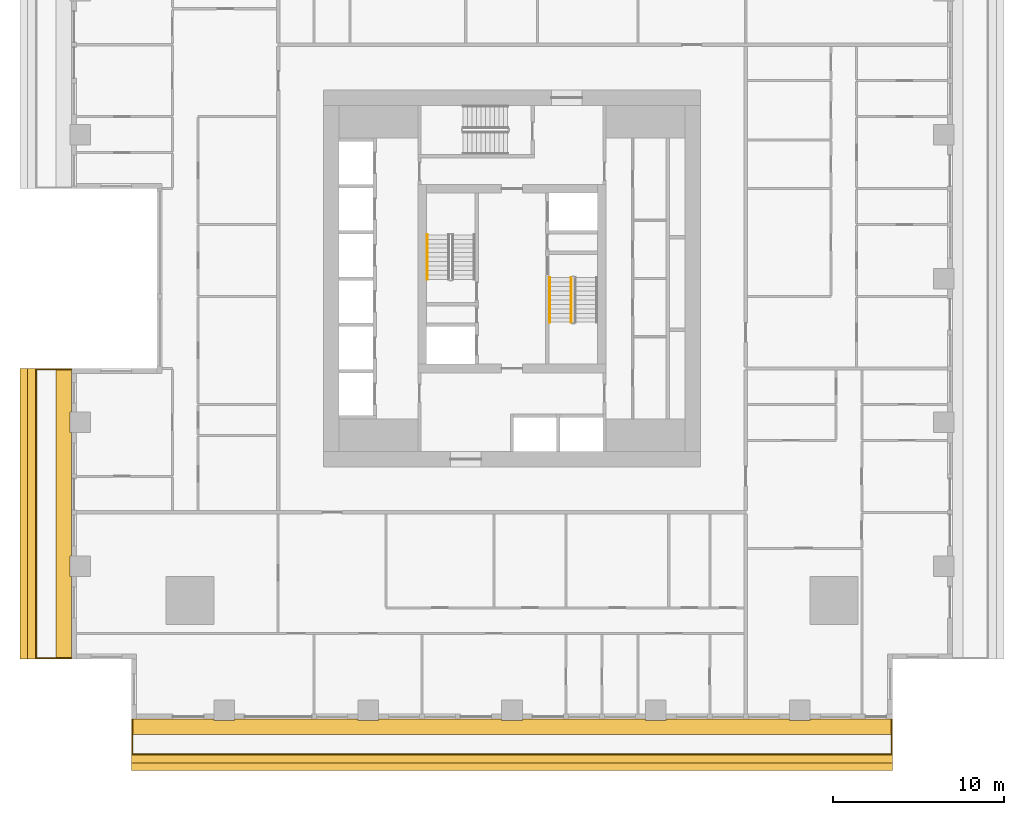
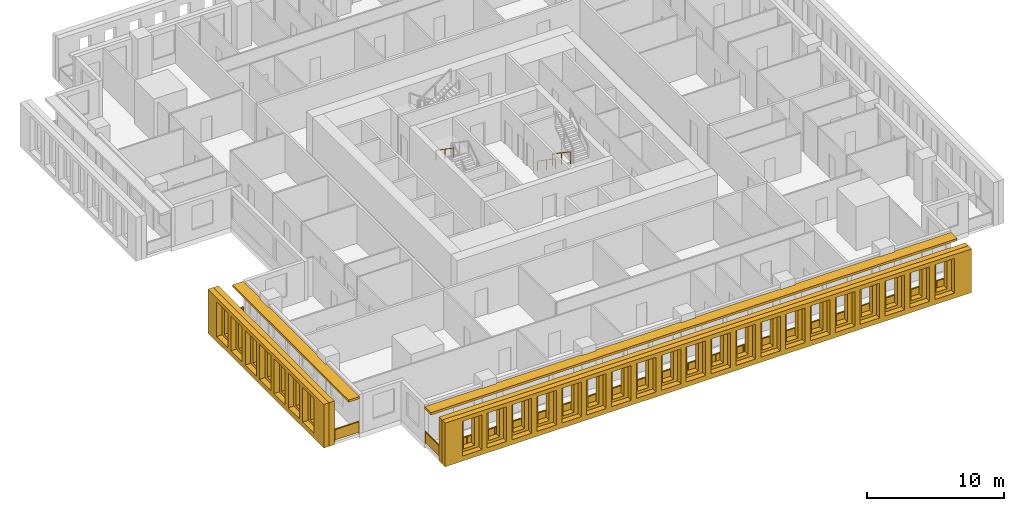
# One storey, part 10 of 14: 6 shading devices, 5 railings.
"""IFC4 building model written with IfcOpenShell, lengths in metres."""

from ifc_helpers import new_model, si_unit, direction, frame, origin, origin_2d, place, context, subcontext, project, spatial, polyline, rectangle, outline, extrude, material, layer, layer_set, type_object, element, save


model = new_model("IFC4")

# Units and contexts
model_context = context("Model", 3, precision=1e-05, world=origin(), true_north=direction((0.0, 1.0)))
body_context = subcontext(model_context, "Body", "Model", "MODEL_VIEW")
ifc_project = project(units=[si_unit("LENGTHUNIT", "METRE"), si_unit("AREAUNIT", "SQUARE_METRE"), si_unit("VOLUMEUNIT", "CUBIC_METRE"), si_unit("PLANEANGLEUNIT", "RADIAN"), si_unit("MASSUNIT", "GRAM", prefix="KILO")], contexts=[model_context])

# Site, building, storey
site_placement = place(None, origin())
site = spatial("IfcSite", under=ifc_project, at=site_placement, CompositionType="ELEMENT")
building_placement = place(site_placement, origin())
building = spatial("IfcBuilding", under=site, at=building_placement, Name="Khepri Terraces", CompositionType="ELEMENT")
storey_placement = place(building_placement, frame((0.0, 0.0, 90.89990234375)))
storey = spatial("IfcBuildingStorey", under=building, at=storey_placement, Name="L21", CompositionType="ELEMENT", Elevation=90.89990234375)

# Railings
ifc_material_1 = material(Name="Stainless steel grade 316", Category="steel")
railing_type_1 = type_object("IfcRailingType", Name="GRD-BAL-1100", PredefinedType="GUARDRAIL", material=ifc_material_1)
railing_1_placement = place(storey_placement, frame((-22.169921875, -25.719970703125, 0.0)))
element("IfcRailing", 1, at=railing_1_placement, inside=storey, type_object=railing_type_1, Name="Balcony guard L21 S", PredefinedType="GUARDRAIL", context=body_context, shape_type="SweptSolid", body=[
    extrude(rectangle(XDim=0.050048828125, YDim=0.06005859375, at=origin_2d()), frame((0.0, 0.0, 1.070068359375), z_axis=(0.0, -1.0, 0.0), x_axis=(1.0, 0.0, 0.0)), (0.0, 0.0, 1.0), 2.050048828125),
    extrude(rectangle(XDim=2.0, YDim=0.011962890625, at=origin_2d()), frame((0.0, -1.02490234375, 0.10009765625), z_axis=(0.0, 0.0, 1.0), x_axis=(0.0, -1.0, 0.0)), (0.0, 0.0, 1.0), 0.93994140625),
    extrude(rectangle(XDim=0.050048828125, YDim=0.06005859375, at=origin_2d()), frame((0.0, -2.050048828125, 1.070068359375), z_axis=(1.0, 0.0, 0.0), x_axis=(0.0, 1.0, 0.0)), (0.0, 0.0, 1.0), 44.33984375),
    extrude(rectangle(XDim=2.28369140625, YDim=0.011962890625, at=origin_2d()), frame((1.166748046875, -2.050048828125, 0.10009765625), z_axis=(0.0, 0.0, 1.0), x_axis=(1.0, 0.0, 0.0)), (0.0, 0.0, 1.0), 0.93994140625),
    extrude(rectangle(XDim=2.28369140625, YDim=0.011962890625, at=origin_2d()), frame((3.50048828125, -2.050048828125, 0.10009765625), z_axis=(0.0, 0.0, 1.0), x_axis=(1.0, 0.0, 0.0)), (0.0, 0.0, 1.0), 0.93994140625),
    extrude(rectangle(XDim=2.28369140625, YDim=0.011962890625, at=origin_2d()), frame((5.834228515625, -2.050048828125, 0.10009765625), z_axis=(0.0, 0.0, 1.0), x_axis=(1.0, 0.0, 0.0)), (0.0, 0.0, 1.0), 0.93994140625),
    extrude(rectangle(XDim=2.28369140625, YDim=0.011962890625, at=origin_2d()), frame((8.16796875, -2.050048828125, 0.10009765625), z_axis=(0.0, 0.0, 1.0), x_axis=(1.0, 0.0, 0.0)), (0.0, 0.0, 1.0), 0.93994140625),
    extrude(rectangle(XDim=2.28369140625, YDim=0.011962890625, at=origin_2d()), frame((10.50146484375, -2.050048828125, 0.10009765625), z_axis=(0.0, 0.0, 1.0), x_axis=(1.0, 0.0, 0.0)), (0.0, 0.0, 1.0), 0.93994140625),
    extrude(rectangle(XDim=2.28369140625, YDim=0.011962890625, at=origin_2d()), frame((12.835205078125, -2.050048828125, 0.10009765625), z_axis=(0.0, 0.0, 1.0), x_axis=(1.0, 0.0, 0.0)), (0.0, 0.0, 1.0), 0.93994140625),
    extrude(rectangle(XDim=2.28369140625, YDim=0.011962890625, at=origin_2d()), frame((15.1689453125, -2.050048828125, 0.10009765625), z_axis=(0.0, 0.0, 1.0), x_axis=(1.0, 0.0, 0.0)), (0.0, 0.0, 1.0), 0.93994140625),
    extrude(rectangle(XDim=2.28369140625, YDim=0.011962890625, at=origin_2d()), frame((17.502685546875, -2.050048828125, 0.10009765625), z_axis=(0.0, 0.0, 1.0), x_axis=(1.0, 0.0, 0.0)), (0.0, 0.0, 1.0), 0.93994140625),
    extrude(rectangle(XDim=2.28369140625, YDim=0.011962890625, at=origin_2d()), frame((19.836181640625, -2.050048828125, 0.10009765625), z_axis=(0.0, 0.0, 1.0), x_axis=(1.0, 0.0, 0.0)), (0.0, 0.0, 1.0), 0.93994140625),
    extrude(rectangle(XDim=2.28369140625, YDim=0.011962890625, at=origin_2d()), frame((22.169921875, -2.050048828125, 0.10009765625), z_axis=(0.0, 0.0, 1.0), x_axis=(1.0, 0.0, 0.0)), (0.0, 0.0, 1.0), 0.93994140625),
    extrude(rectangle(XDim=2.28369140625, YDim=0.011962890625, at=origin_2d()), frame((24.503662109375, -2.050048828125, 0.10009765625), z_axis=(0.0, 0.0, 1.0), x_axis=(1.0, 0.0, 0.0)), (0.0, 0.0, 1.0), 0.93994140625),
    extrude(rectangle(XDim=2.28369140625, YDim=0.011962890625, at=origin_2d()), frame((26.837158203125, -2.050048828125, 0.10009765625), z_axis=(0.0, 0.0, 1.0), x_axis=(1.0, 0.0, 0.0)), (0.0, 0.0, 1.0), 0.93994140625),
    extrude(rectangle(XDim=2.28369140625, YDim=0.011962890625, at=origin_2d()), frame((29.1708984375, -2.050048828125, 0.10009765625), z_axis=(0.0, 0.0, 1.0), x_axis=(1.0, 0.0, 0.0)), (0.0, 0.0, 1.0), 0.93994140625),
    extrude(rectangle(XDim=2.28369140625, YDim=0.011962890625, at=origin_2d()), frame((31.504638671875, -2.050048828125, 0.10009765625), z_axis=(0.0, 0.0, 1.0), x_axis=(1.0, 0.0, 0.0)), (0.0, 0.0, 1.0), 0.93994140625),
    extrude(rectangle(XDim=2.28369140625, YDim=0.011962890625, at=origin_2d()), frame((33.83837890625, -2.050048828125, 0.10009765625), z_axis=(0.0, 0.0, 1.0), x_axis=(1.0, 0.0, 0.0)), (0.0, 0.0, 1.0), 0.93994140625),
    extrude(rectangle(XDim=2.28369140625, YDim=0.011962890625, at=origin_2d()), frame((36.171875, -2.050048828125, 0.10009765625), z_axis=(0.0, 0.0, 1.0), x_axis=(1.0, 0.0, 0.0)), (0.0, 0.0, 1.0), 0.93994140625),
    extrude(rectangle(XDim=2.28369140625, YDim=0.011962890625, at=origin_2d()), frame((38.505615234375, -2.050048828125, 0.10009765625), z_axis=(0.0, 0.0, 1.0), x_axis=(1.0, 0.0, 0.0)), (0.0, 0.0, 1.0), 0.93994140625),
    extrude(rectangle(XDim=2.28369140625, YDim=0.011962890625, at=origin_2d()), frame((40.83935546875, -2.050048828125, 0.10009765625), z_axis=(0.0, 0.0, 1.0), x_axis=(1.0, 0.0, 0.0)), (0.0, 0.0, 1.0), 0.93994140625),
    extrude(rectangle(XDim=2.28369140625, YDim=0.011962890625, at=origin_2d()), frame((43.173095703125, -2.050048828125, 0.10009765625), z_axis=(0.0, 0.0, 1.0), x_axis=(1.0, 0.0, 0.0)), (0.0, 0.0, 1.0), 0.93994140625),
    extrude(rectangle(XDim=0.050048828125, YDim=0.06005859375, at=origin_2d()), frame((44.33984375, -2.050048828125, 1.070068359375), z_axis=(0.0, 1.0, 0.0), x_axis=(-1.0, 0.0, 0.0)), (0.0, 0.0, 1.0), 2.050048828125),
    extrude(rectangle(XDim=2.0, YDim=0.011962890625, at=origin_2d()), frame((44.33984375, -1.02490234375, 0.10009765625), z_axis=(0.0, 0.0, 1.0), x_axis=(0.0, 1.0, 0.0)), (0.0, 0.0, 1.0), 0.93994140625),
    extrude(rectangle(XDim=0.050048828125, YDim=0.050048828125, at=origin_2d()), origin(), (0.0, 0.0, 1.0), 1.0400390625),
    extrude(rectangle(XDim=0.050048828125, YDim=0.050048828125, at=origin_2d()), frame((0.0, -2.050048828125, 0.0)), (0.0, 0.0, 1.0), 1.0400390625),
    extrude(rectangle(XDim=0.050048828125, YDim=0.050048828125, at=origin_2d()), frame((2.333740234375, -2.050048828125, 0.0)), (0.0, 0.0, 1.0), 1.0400390625),
    extrude(rectangle(XDim=0.050048828125, YDim=0.050048828125, at=origin_2d()), frame((4.667236328125, -2.050048828125, 0.0)), (0.0, 0.0, 1.0), 1.0400390625),
    extrude(rectangle(XDim=0.050048828125, YDim=0.050048828125, at=origin_2d()), frame((7.0009765625, -2.050048828125, 0.0)), (0.0, 0.0, 1.0), 1.0400390625),
    extrude(rectangle(XDim=0.050048828125, YDim=0.050048828125, at=origin_2d()), frame((9.334716796875, -2.050048828125, 0.0)), (0.0, 0.0, 1.0), 1.0400390625),
    extrude(rectangle(XDim=0.050048828125, YDim=0.050048828125, at=origin_2d()), frame((11.66845703125, -2.050048828125, 0.0)), (0.0, 0.0, 1.0), 1.0400390625),
    extrude(rectangle(XDim=0.050048828125, YDim=0.050048828125, at=origin_2d()), frame((14.001953125, -2.050048828125, 0.0)), (0.0, 0.0, 1.0), 1.0400390625),
    extrude(rectangle(XDim=0.050048828125, YDim=0.050048828125, at=origin_2d()), frame((16.335693359375, -2.050048828125, 0.0)), (0.0, 0.0, 1.0), 1.0400390625),
    extrude(rectangle(XDim=0.050048828125, YDim=0.050048828125, at=origin_2d()), frame((18.66943359375, -2.050048828125, 0.0)), (0.0, 0.0, 1.0), 1.0400390625),
    extrude(rectangle(XDim=0.050048828125, YDim=0.050048828125, at=origin_2d()), frame((21.003173828125, -2.050048828125, 0.0)), (0.0, 0.0, 1.0), 1.0400390625),
    extrude(rectangle(XDim=0.050048828125, YDim=0.050048828125, at=origin_2d()), frame((23.336669921875, -2.050048828125, 0.0)), (0.0, 0.0, 1.0), 1.0400390625),
    extrude(rectangle(XDim=0.050048828125, YDim=0.050048828125, at=origin_2d()), frame((25.67041015625, -2.050048828125, 0.0)), (0.0, 0.0, 1.0), 1.0400390625),
    extrude(rectangle(XDim=0.050048828125, YDim=0.050048828125, at=origin_2d()), frame((28.004150390625, -2.050048828125, 0.0)), (0.0, 0.0, 1.0), 1.0400390625),
    extrude(rectangle(XDim=0.050048828125, YDim=0.050048828125, at=origin_2d()), frame((30.337890625, -2.050048828125, 0.0)), (0.0, 0.0, 1.0), 1.0400390625),
    extrude(rectangle(XDim=0.050048828125, YDim=0.050048828125, at=origin_2d()), frame((32.67138671875, -2.050048828125, 0.0)), (0.0, 0.0, 1.0), 1.0400390625),
    extrude(rectangle(XDim=0.050048828125, YDim=0.050048828125, at=origin_2d()), frame((35.005126953125, -2.050048828125, 0.0)), (0.0, 0.0, 1.0), 1.0400390625),
    extrude(rectangle(XDim=0.050048828125, YDim=0.050048828125, at=origin_2d()), frame((37.3388671875, -2.050048828125, 0.0)), (0.0, 0.0, 1.0), 1.0400390625),
    extrude(rectangle(XDim=0.050048828125, YDim=0.050048828125, at=origin_2d()), frame((39.672607421875, -2.050048828125, 0.0)), (0.0, 0.0, 1.0), 1.0400390625),
    extrude(rectangle(XDim=0.050048828125, YDim=0.050048828125, at=origin_2d()), frame((42.006103515625, -2.050048828125, 0.0)), (0.0, 0.0, 1.0), 1.0400390625),
    extrude(rectangle(XDim=0.050048828125, YDim=0.050048828125, at=origin_2d()), frame((44.33984375, -2.050048828125, 0.0)), (0.0, 0.0, 1.0), 1.0400390625),
    extrude(rectangle(XDim=0.050048828125, YDim=0.050048828125, at=origin_2d()), frame((44.33984375, 0.0, 0.0)), (0.0, 0.0, 1.0), 1.0400390625),
])
railing_2_placement = place(storey_placement, frame((-25.719970703125, -5.300048828125, 0.0)))
element("IfcRailing", 2, at=railing_2_placement, inside=storey, type_object=railing_type_1, Name="Balcony guard L21 W", PredefinedType="GUARDRAIL", context=body_context, shape_type="SweptSolid", body=[
    extrude(rectangle(XDim=0.050048828125, YDim=0.06005859375, at=origin_2d()), frame((0.0, 0.0, 1.070068359375), z_axis=(-1.0, 0.0, 0.0), x_axis=(0.0, -1.0, 0.0)), (0.0, 0.0, 1.0), 2.050048828125),
    extrude(rectangle(XDim=2.0, YDim=0.011962890625, at=origin_2d()), frame((-1.02490234375, 0.0, 0.10009765625), z_axis=(0.0, 0.0, 1.0), x_axis=(-1.0, 0.0, 0.0)), (0.0, 0.0, 1.0), 0.93994140625),
    extrude(rectangle(XDim=0.050048828125, YDim=0.06005859375, at=origin_2d()), frame((-2.050048828125, 0.0, 1.070068359375), z_axis=(0.0, -1.0, 0.0), x_axis=(1.0, 0.0, 0.0)), (0.0, 0.0, 1.0), 16.869873046875),
    extrude(rectangle(XDim=2.05859375, YDim=0.011962890625, at=origin_2d()), frame((-2.050048828125, -1.054443359375, 0.10009765625), z_axis=(0.0, 0.0, 1.0), x_axis=(0.0, -1.0, 0.0)), (0.0, 0.0, 1.0), 0.93994140625),
    extrude(rectangle(XDim=2.05859375, YDim=0.011962890625, at=origin_2d()), frame((-2.050048828125, -3.1630859375, 0.10009765625), z_axis=(0.0, 0.0, 1.0), x_axis=(0.0, -1.0, 0.0)), (0.0, 0.0, 1.0), 0.93994140625),
    extrude(rectangle(XDim=2.05859375, YDim=0.011962890625, at=origin_2d()), frame((-2.050048828125, -5.271728515625, 0.10009765625), z_axis=(0.0, 0.0, 1.0), x_axis=(0.0, -1.0, 0.0)), (0.0, 0.0, 1.0), 0.93994140625),
    extrude(rectangle(XDim=2.05859375, YDim=0.011962890625, at=origin_2d()), frame((-2.050048828125, -7.380615234375, 0.10009765625), z_axis=(0.0, 0.0, 1.0), x_axis=(0.0, -1.0, 0.0)), (0.0, 0.0, 1.0), 0.93994140625),
    extrude(rectangle(XDim=2.05859375, YDim=0.011962890625, at=origin_2d()), frame((-2.050048828125, -9.4892578125, 0.10009765625), z_axis=(0.0, 0.0, 1.0), x_axis=(0.0, -1.0, 0.0)), (0.0, 0.0, 1.0), 0.93994140625),
    extrude(rectangle(XDim=2.05859375, YDim=0.011962890625, at=origin_2d()), frame((-2.050048828125, -11.59814453125, 0.10009765625), z_axis=(0.0, 0.0, 1.0), x_axis=(0.0, -1.0, 0.0)), (0.0, 0.0, 1.0), 0.93994140625),
    extrude(rectangle(XDim=2.05859375, YDim=0.011962890625, at=origin_2d()), frame((-2.050048828125, -13.706787109375, 0.10009765625), z_axis=(0.0, 0.0, 1.0), x_axis=(0.0, -1.0, 0.0)), (0.0, 0.0, 1.0), 0.93994140625),
    extrude(rectangle(XDim=2.05859375, YDim=0.011962890625, at=origin_2d()), frame((-2.050048828125, -15.8154296875, 0.10009765625), z_axis=(0.0, 0.0, 1.0), x_axis=(0.0, -1.0, 0.0)), (0.0, 0.0, 1.0), 0.93994140625),
    extrude(rectangle(XDim=0.050048828125, YDim=0.06005859375, at=origin_2d()), frame((-2.050048828125, -16.869873046875, 1.070068359375), z_axis=(1.0, 0.0, 0.0), x_axis=(0.0, 1.0, 0.0)), (0.0, 0.0, 1.0), 2.050048828125),
    extrude(rectangle(XDim=2.0, YDim=0.011962890625, at=origin_2d()), frame((-1.02490234375, -16.869873046875, 0.10009765625), z_axis=(0.0, 0.0, 1.0), x_axis=(1.0, 0.0, 0.0)), (0.0, 0.0, 1.0), 0.93994140625),
    extrude(rectangle(XDim=0.050048828125, YDim=0.050048828125, at=origin_2d()), origin(), (0.0, 0.0, 1.0), 1.0400390625),
    extrude(rectangle(XDim=0.050048828125, YDim=0.050048828125, at=origin_2d()), frame((-2.050048828125, 0.0, 0.0)), (0.0, 0.0, 1.0), 1.0400390625),
    extrude(rectangle(XDim=0.050048828125, YDim=0.050048828125, at=origin_2d()), frame((-2.050048828125, -2.108642578125, 0.0)), (0.0, 0.0, 1.0), 1.0400390625),
    extrude(rectangle(XDim=0.050048828125, YDim=0.050048828125, at=origin_2d()), frame((-2.050048828125, -4.217529296875, 0.0)), (0.0, 0.0, 1.0), 1.0400390625),
    extrude(rectangle(XDim=0.050048828125, YDim=0.050048828125, at=origin_2d()), frame((-2.050048828125, -6.326171875, 0.0)), (0.0, 0.0, 1.0), 1.0400390625),
    extrude(rectangle(XDim=0.050048828125, YDim=0.050048828125, at=origin_2d()), frame((-2.050048828125, -8.43505859375, 0.0)), (0.0, 0.0, 1.0), 1.0400390625),
    extrude(rectangle(XDim=0.050048828125, YDim=0.050048828125, at=origin_2d()), frame((-2.050048828125, -10.543701171875, 0.0)), (0.0, 0.0, 1.0), 1.0400390625),
    extrude(rectangle(XDim=0.050048828125, YDim=0.050048828125, at=origin_2d()), frame((-2.050048828125, -12.65234375, 0.0)), (0.0, 0.0, 1.0), 1.0400390625),
    extrude(rectangle(XDim=0.050048828125, YDim=0.050048828125, at=origin_2d()), frame((-2.050048828125, -14.76123046875, 0.0)), (0.0, 0.0, 1.0), 1.0400390625),
    extrude(rectangle(XDim=0.050048828125, YDim=0.050048828125, at=origin_2d()), frame((-2.050048828125, -16.869873046875, 0.0)), (0.0, 0.0, 1.0), 1.0400390625),
    extrude(rectangle(XDim=0.050048828125, YDim=0.050048828125, at=origin_2d()), frame((0.0, -16.869873046875, 0.0)), (0.0, 0.0, 1.0), 1.0400390625),
])
ifc_material_2 = material(Name="Stainless steel 316", Category="steel")
railing_type_2 = type_object("IfcRailingType", Name="RL-CORE-GUARD", PredefinedType="GUARDRAIL", material=ifc_material_2)
railing_3_placement = place(storey_placement, frame((3.449951171875, 0.050048828125, 0.177490234375)))
element("IfcRailing", 3, at=railing_3_placement, inside=storey, type_object=railing_type_2, Name="L21 ST-2 stair guard 1", PredefinedType="GUARDRAIL", context=body_context, shape_type="SweptSolid", body=[
    extrude(rectangle(XDim=0.050048828125, YDim=0.06005859375, at=origin_2d()), frame((0.0, 0.0, 1.070068359375), z_axis=(0.0, -0.826240473404, 0.563317565952), x_axis=(1.0, 0.0, 0.0)), (0.0, 0.0, 1.0), 3.14697265625),
    extrude(rectangle(XDim=0.050048828125, YDim=0.050048828125, at=origin_2d()), origin(), (0.0, 0.0, 1.0), 1.0400390625),
    extrude(rectangle(XDim=0.050048828125, YDim=0.050048828125, at=origin_2d()), frame((0.0, -1.300048828125, 0.88623046875)), (0.0, 0.0, 1.0), 1.0400390625),
    extrude(rectangle(XDim=0.050048828125, YDim=0.050048828125, at=origin_2d()), frame((0.0, -2.60009765625, 1.772705078125)), (0.0, 0.0, 1.0), 1.0400390625),
])
railing_type_3 = type_object("IfcRailingType", Name="RL-CORE-HANDRAIL", PredefinedType="HANDRAIL", material=ifc_material_2)
for number, where, name in (
    (4, (-4.949951171875, 2.550048828125, 2.12744140625), "L21 ST-1 stair handrail 2"),
    (5, (2.199951171875, 0.050048828125, 0.177490234375), "L21 ST-2 stair handrail 1"),
):
    element("IfcRailing", number, at=place(storey_placement, frame(where)), inside=storey, type_object=railing_type_3, Name=name, PredefinedType="HANDRAIL", context=body_context, shape_type="SweptSolid", body=[
        extrude(rectangle(XDim=0.050048828125, YDim=0.050048828125, at=origin_2d()), frame((0.0, 0.0, 0.875), z_axis=(0.0, -0.826240473404, 0.563317565952), x_axis=(1.0, 0.0, 0.0)), (0.0, 0.0, 1.0), 3.14697265625),
        extrude(rectangle(XDim=0.050048828125, YDim=0.050048828125, at=origin_2d()), origin(), (0.0, 0.0, 1.0), 0.849853515625),
        extrude(rectangle(XDim=0.050048828125, YDim=0.050048828125, at=origin_2d()), frame((0.0, -1.300048828125, 0.88623046875)), (0.0, 0.0, 1.0), 0.849853515625),
        extrude(rectangle(XDim=0.050048828125, YDim=0.050048828125, at=origin_2d()), frame((0.0, -2.60009765625, 1.772705078125)), (0.0, 0.0, 1.0), 0.849853515625),
    ])

# Shading devices
ifc_material_3 = material(Name="Precast concrete C50/60 warm stone", Category="masonry")
shading_device_type_1 = type_object("IfcShadingDeviceType", Name="SCR-CELL-INNER-450", PredefinedType="USERDEFINED", material=ifc_material_3)
shading_device_1_placement = place(storey_placement, frame((-22.219970703125, -27.820068359375, -0.25), z_axis=(0.0, -1.0, 0.0), x_axis=(1.0, 0.0, 0.0)))
element("IfcShadingDevice", 6, at=shading_device_1_placement, inside=storey, type_object=shading_device_type_1, Name="Cell screen L21 S in", ObjectType="SCREEN", PredefinedType="USERDEFINED", context=body_context, shape_type="SweptSolid", body=[
    extrude(outline(polyline([(0.0, 0.0), (44.43994140625, 0.0), (44.43994140625, 3.89990234375), (0.0, 3.89990234375), (0.0, 0.0)]), holes=[polyline([(1.797607421875, 0.699951171875), (2.742431640625, 0.699951171875), (2.742431640625, 3.300048828125), (1.797607421875, 3.300048828125), (1.797607421875, 0.699951171875)]), polyline([(3.8974609375, 0.699951171875), (4.842529296875, 0.699951171875), (4.842529296875, 3.300048828125), (3.8974609375, 3.300048828125), (3.8974609375, 0.699951171875)]), polyline([(5.99755859375, 0.699951171875), (6.9423828125, 0.699951171875), (6.9423828125, 3.300048828125), (5.99755859375, 3.300048828125), (5.99755859375, 0.699951171875)]), polyline([(8.097412109375, 0.699951171875), (9.04248046875, 0.699951171875), (9.04248046875, 3.300048828125), (8.097412109375, 3.300048828125), (8.097412109375, 0.699951171875)]), polyline([(10.197509765625, 0.699951171875), (11.142578125, 0.699951171875), (11.142578125, 3.300048828125), (10.197509765625, 3.300048828125), (10.197509765625, 0.699951171875)]), polyline([(12.297607421875, 0.699951171875), (13.242431640625, 0.699951171875), (13.242431640625, 3.300048828125), (12.297607421875, 3.300048828125), (12.297607421875, 0.699951171875)]), polyline([(14.3974609375, 0.699951171875), (15.342529296875, 0.699951171875), (15.342529296875, 3.300048828125), (14.3974609375, 3.300048828125), (14.3974609375, 0.699951171875)]), polyline([(16.49755859375, 0.699951171875), (17.4423828125, 0.699951171875), (17.4423828125, 3.300048828125), (16.49755859375, 3.300048828125), (16.49755859375, 0.699951171875)]), polyline([(18.597412109375, 0.699951171875), (19.54248046875, 0.699951171875), (19.54248046875, 3.300048828125), (18.597412109375, 3.300048828125), (18.597412109375, 0.699951171875)]), polyline([(20.697509765625, 0.699951171875), (21.642578125, 0.699951171875), (21.642578125, 3.300048828125), (20.697509765625, 3.300048828125), (20.697509765625, 0.699951171875)]), polyline([(22.797607421875, 0.699951171875), (23.742431640625, 0.699951171875), (23.742431640625, 3.300048828125), (22.797607421875, 3.300048828125), (22.797607421875, 0.699951171875)]), polyline([(24.8974609375, 0.699951171875), (25.842529296875, 0.699951171875), (25.842529296875, 3.300048828125), (24.8974609375, 3.300048828125), (24.8974609375, 0.699951171875)]), polyline([(26.99755859375, 0.699951171875), (27.9423828125, 0.699951171875), (27.9423828125, 3.300048828125), (26.99755859375, 3.300048828125), (26.99755859375, 0.699951171875)]), polyline([(29.097412109375, 0.699951171875), (30.04248046875, 0.699951171875), (30.04248046875, 3.300048828125), (29.097412109375, 3.300048828125), (29.097412109375, 0.699951171875)]), polyline([(31.197509765625, 0.699951171875), (32.142578125, 0.699951171875), (32.142578125, 3.300048828125), (31.197509765625, 3.300048828125), (31.197509765625, 0.699951171875)]), polyline([(33.297607421875, 0.699951171875), (34.242431640625, 0.699951171875), (34.242431640625, 3.300048828125), (33.297607421875, 3.300048828125), (33.297607421875, 0.699951171875)]), polyline([(35.3974609375, 0.699951171875), (36.342529296875, 0.699951171875), (36.342529296875, 3.300048828125), (35.3974609375, 3.300048828125), (35.3974609375, 0.699951171875)]), polyline([(37.49755859375, 0.699951171875), (38.4423828125, 0.699951171875), (38.4423828125, 3.300048828125), (37.49755859375, 3.300048828125), (37.49755859375, 0.699951171875)]), polyline([(39.597412109375, 0.699951171875), (40.54248046875, 0.699951171875), (40.54248046875, 3.300048828125), (39.597412109375, 3.300048828125), (39.597412109375, 0.699951171875)]), polyline([(41.697509765625, 0.699951171875), (42.642578125, 0.699951171875), (42.642578125, 3.300048828125), (41.697509765625, 3.300048828125), (41.697509765625, 0.699951171875)])]), origin(), (0.0, 0.0, 1.0), 0.449951171875),
])
shading_device_2_placement = place(storey_placement, frame((-27.820068359375, -5.25, -0.25), z_axis=(-1.0, 0.0, 0.0), x_axis=(0.0, -1.0, 0.0)))
element("IfcShadingDevice", 7, at=shading_device_2_placement, inside=storey, type_object=shading_device_type_1, Name="Cell screen L21 W in", ObjectType="SCREEN", PredefinedType="USERDEFINED", context=body_context, shape_type="SweptSolid", body=[
    extrude(outline(polyline([(0.0, 0.0), (16.969970703125, 0.0), (16.969970703125, 3.89990234375), (0.0, 3.89990234375), (0.0, 0.0)]), holes=[polyline([(1.62744140625, 0.699951171875), (2.572509765625, 0.699951171875), (2.572509765625, 3.300048828125), (1.62744140625, 3.300048828125), (1.62744140625, 0.699951171875)]), polyline([(3.7275390625, 0.699951171875), (4.672607421875, 0.699951171875), (4.672607421875, 3.300048828125), (3.7275390625, 3.300048828125), (3.7275390625, 0.699951171875)]), polyline([(5.827392578125, 0.699951171875), (6.7724609375, 0.699951171875), (6.7724609375, 3.300048828125), (5.827392578125, 3.300048828125), (5.827392578125, 0.699951171875)]), polyline([(7.927490234375, 0.699951171875), (8.87255859375, 0.699951171875), (8.87255859375, 3.300048828125), (7.927490234375, 3.300048828125), (7.927490234375, 0.699951171875)]), polyline([(10.027587890625, 0.699951171875), (10.972412109375, 0.699951171875), (10.972412109375, 3.300048828125), (10.027587890625, 3.300048828125), (10.027587890625, 0.699951171875)]), polyline([(12.12744140625, 0.699951171875), (13.072509765625, 0.699951171875), (13.072509765625, 3.300048828125), (12.12744140625, 3.300048828125), (12.12744140625, 0.699951171875)]), polyline([(14.2275390625, 0.699951171875), (15.172607421875, 0.699951171875), (15.172607421875, 3.300048828125), (14.2275390625, 3.300048828125), (14.2275390625, 0.699951171875)])]), origin(), (0.0, 0.0, 1.0), 0.449951171875),
])
shading_device_type_2 = type_object("IfcShadingDeviceType", Name="SCR-CELL-OUTER-450", PredefinedType="USERDEFINED", material=ifc_material_3)
shading_device_3_placement = place(storey_placement, frame((-22.219970703125, -28.27001953125, -0.25), z_axis=(0.0, -1.0, 0.0), x_axis=(1.0, 0.0, 0.0)))
element("IfcShadingDevice", 8, at=shading_device_3_placement, inside=storey, type_object=shading_device_type_2, Name="Cell screen L21 S out", ObjectType="SCREEN", PredefinedType="USERDEFINED", context=body_context, shape_type="SweptSolid", body=[
    extrude(outline(polyline([(0.0, 0.0), (44.43994140625, 0.0), (44.43994140625, 3.89990234375), (0.0, 3.89990234375), (0.0, 0.0)]), holes=[polyline([(1.447509765625, 0.449951171875), (3.092529296875, 0.449951171875), (3.092529296875, 3.550048828125), (1.447509765625, 3.550048828125), (1.447509765625, 0.449951171875)]), polyline([(3.547607421875, 0.449951171875), (5.1923828125, 0.449951171875), (5.1923828125, 3.550048828125), (3.547607421875, 3.550048828125), (3.547607421875, 0.449951171875)]), polyline([(5.6474609375, 0.449951171875), (7.29248046875, 0.449951171875), (7.29248046875, 3.550048828125), (5.6474609375, 3.550048828125), (5.6474609375, 0.449951171875)]), polyline([(7.74755859375, 0.449951171875), (9.392578125, 0.449951171875), (9.392578125, 3.550048828125), (7.74755859375, 3.550048828125), (7.74755859375, 0.449951171875)]), polyline([(9.847412109375, 0.449951171875), (11.492431640625, 0.449951171875), (11.492431640625, 3.550048828125), (9.847412109375, 3.550048828125), (9.847412109375, 0.449951171875)]), polyline([(11.947509765625, 0.449951171875), (13.592529296875, 0.449951171875), (13.592529296875, 3.550048828125), (11.947509765625, 3.550048828125), (11.947509765625, 0.449951171875)]), polyline([(14.047607421875, 0.449951171875), (15.6923828125, 0.449951171875), (15.6923828125, 3.550048828125), (14.047607421875, 3.550048828125), (14.047607421875, 0.449951171875)]), polyline([(16.1474609375, 0.449951171875), (17.79248046875, 0.449951171875), (17.79248046875, 3.550048828125), (16.1474609375, 3.550048828125), (16.1474609375, 0.449951171875)]), polyline([(18.24755859375, 0.449951171875), (19.892578125, 0.449951171875), (19.892578125, 3.550048828125), (18.24755859375, 3.550048828125), (18.24755859375, 0.449951171875)]), polyline([(20.347412109375, 0.449951171875), (21.992431640625, 0.449951171875), (21.992431640625, 3.550048828125), (20.347412109375, 3.550048828125), (20.347412109375, 0.449951171875)]), polyline([(22.447509765625, 0.449951171875), (24.092529296875, 0.449951171875), (24.092529296875, 3.550048828125), (22.447509765625, 3.550048828125), (22.447509765625, 0.449951171875)]), polyline([(24.547607421875, 0.449951171875), (26.1923828125, 0.449951171875), (26.1923828125, 3.550048828125), (24.547607421875, 3.550048828125), (24.547607421875, 0.449951171875)]), polyline([(26.6474609375, 0.449951171875), (28.29248046875, 0.449951171875), (28.29248046875, 3.550048828125), (26.6474609375, 3.550048828125), (26.6474609375, 0.449951171875)]), polyline([(28.74755859375, 0.449951171875), (30.392578125, 0.449951171875), (30.392578125, 3.550048828125), (28.74755859375, 3.550048828125), (28.74755859375, 0.449951171875)]), polyline([(30.847412109375, 0.449951171875), (32.492431640625, 0.449951171875), (32.492431640625, 3.550048828125), (30.847412109375, 3.550048828125), (30.847412109375, 0.449951171875)]), polyline([(32.947509765625, 0.449951171875), (34.592529296875, 0.449951171875), (34.592529296875, 3.550048828125), (32.947509765625, 3.550048828125), (32.947509765625, 0.449951171875)]), polyline([(35.047607421875, 0.449951171875), (36.6923828125, 0.449951171875), (36.6923828125, 3.550048828125), (35.047607421875, 3.550048828125), (35.047607421875, 0.449951171875)]), polyline([(37.1474609375, 0.449951171875), (38.79248046875, 0.449951171875), (38.79248046875, 3.550048828125), (37.1474609375, 3.550048828125), (37.1474609375, 0.449951171875)]), polyline([(39.24755859375, 0.449951171875), (40.892578125, 0.449951171875), (40.892578125, 3.550048828125), (39.24755859375, 3.550048828125), (39.24755859375, 0.449951171875)]), polyline([(41.347412109375, 0.449951171875), (42.992431640625, 0.449951171875), (42.992431640625, 3.550048828125), (41.347412109375, 3.550048828125), (41.347412109375, 0.449951171875)])]), origin(), (0.0, 0.0, 1.0), 0.449951171875),
])
shading_device_4_placement = place(storey_placement, frame((-28.27001953125, -5.25, -0.25), z_axis=(-1.0, 0.0, 0.0), x_axis=(0.0, -1.0, 0.0)))
element("IfcShadingDevice", 9, at=shading_device_4_placement, inside=storey, type_object=shading_device_type_2, Name="Cell screen L21 W out", ObjectType="SCREEN", PredefinedType="USERDEFINED", context=body_context, shape_type="SweptSolid", body=[
    extrude(outline(polyline([(0.0, 0.0), (16.969970703125, 0.0), (16.969970703125, 3.89990234375), (0.0, 3.89990234375), (0.0, 0.0)]), holes=[polyline([(1.277587890625, 0.449951171875), (2.922607421875, 0.449951171875), (2.922607421875, 3.550048828125), (1.277587890625, 3.550048828125), (1.277587890625, 0.449951171875)]), polyline([(3.37744140625, 0.449951171875), (5.0224609375, 0.449951171875), (5.0224609375, 3.550048828125), (3.37744140625, 3.550048828125), (3.37744140625, 0.449951171875)]), polyline([(5.4775390625, 0.449951171875), (7.12255859375, 0.449951171875), (7.12255859375, 3.550048828125), (5.4775390625, 3.550048828125), (5.4775390625, 0.449951171875)]), polyline([(7.577392578125, 0.449951171875), (9.222412109375, 0.449951171875), (9.222412109375, 3.550048828125), (7.577392578125, 3.550048828125), (7.577392578125, 0.449951171875)]), polyline([(9.677490234375, 0.449951171875), (11.322509765625, 0.449951171875), (11.322509765625, 3.550048828125), (9.677490234375, 3.550048828125), (9.677490234375, 0.449951171875)]), polyline([(11.777587890625, 0.449951171875), (13.422607421875, 0.449951171875), (13.422607421875, 3.550048828125), (11.777587890625, 3.550048828125), (11.777587890625, 0.449951171875)]), polyline([(13.87744140625, 0.449951171875), (15.5224609375, 0.449951171875), (15.5224609375, 3.550048828125), (13.87744140625, 3.550048828125), (13.87744140625, 0.449951171875)])]), origin(), (0.0, 0.0, 1.0), 0.449951171875),
])
ifc_layer = layer(ifc_material_3, 0.199951171875, Name="Precast concrete C50/60 warm stone", Category="masonry")
ifc_layer_set = layer_set([ifc_layer], Name="Precast concrete C50/60 warm stone")
shading_device_type_3 = type_object("IfcShadingDeviceType", Name="SSH-BAND-STONE-200", PredefinedType="USERDEFINED", material=ifc_layer_set)
shading_device_5_placement = place(storey_placement, frame((0.0, 0.0, 3.10009765625)))
element("IfcShadingDevice", 10, at=shading_device_5_placement, inside=storey, type_object=shading_device_type_3, Name="Sunshade band L21 S", ObjectType="SUNSHADE", PredefinedType="USERDEFINED", context=body_context, shape_type="SweptSolid", body=[
    extrude(outline(polyline([(-17.39990234375, -25.719970703125), (-22.219970703125, -25.719970703125), (-22.219970703125, -26.6201171875), (22.219970703125, -26.6201171875), (22.219970703125, -25.719970703125), (17.39990234375, -25.719970703125), (17.39990234375, -25.800048828125), (16.199951171875, -25.800048828125), (16.199951171875, -25.719970703125), (9.0, -25.719970703125), (9.0, -25.800048828125), (7.800048828125, -25.800048828125), (7.800048828125, -25.719970703125), (0.60009765625, -25.719970703125), (0.60009765625, -25.800048828125), (-0.60009765625, -25.800048828125), (-0.60009765625, -25.719970703125), (-7.800048828125, -25.719970703125), (-7.800048828125, -25.800048828125), (-9.0, -25.800048828125), (-9.0, -25.719970703125), (-16.199951171875, -25.719970703125), (-16.199951171875, -25.800048828125), (-17.39990234375, -25.800048828125), (-17.39990234375, -25.719970703125)])), origin(), (0.0, 0.0, 1.0), 0.199951171875),
])
shading_device_6_placement = place(storey_placement, frame((0.0, 0.0, 3.10009765625)))
element("IfcShadingDevice", 11, at=shading_device_6_placement, inside=storey, type_object=shading_device_type_3, Name="Sunshade band L21 W", ObjectType="SUNSHADE", PredefinedType="USERDEFINED", context=body_context, shape_type="SweptSolid", body=[
    extrude(outline(polyline([(-25.719970703125, -7.800048828125), (-25.719970703125, -5.25), (-26.6201171875, -5.25), (-26.6201171875, -22.219970703125), (-25.719970703125, -22.219970703125), (-25.719970703125, -17.39990234375), (-25.800048828125, -17.39990234375), (-25.800048828125, -16.199951171875), (-25.719970703125, -16.199951171875), (-25.719970703125, -9.0), (-25.800048828125, -9.0), (-25.800048828125, -7.800048828125), (-25.719970703125, -7.800048828125)])), origin(), (0.0, 0.0, 1.0), 0.199951171875),
])

save(model, "model.ifc")
